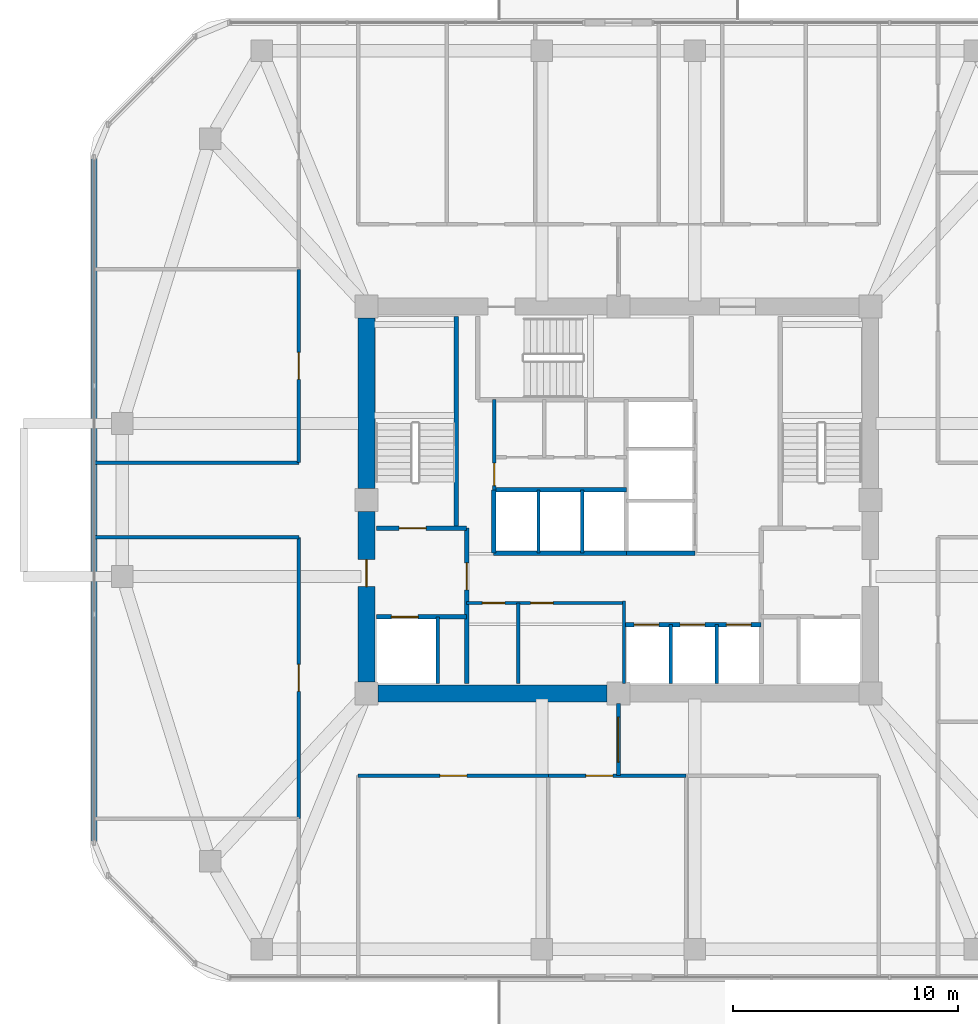
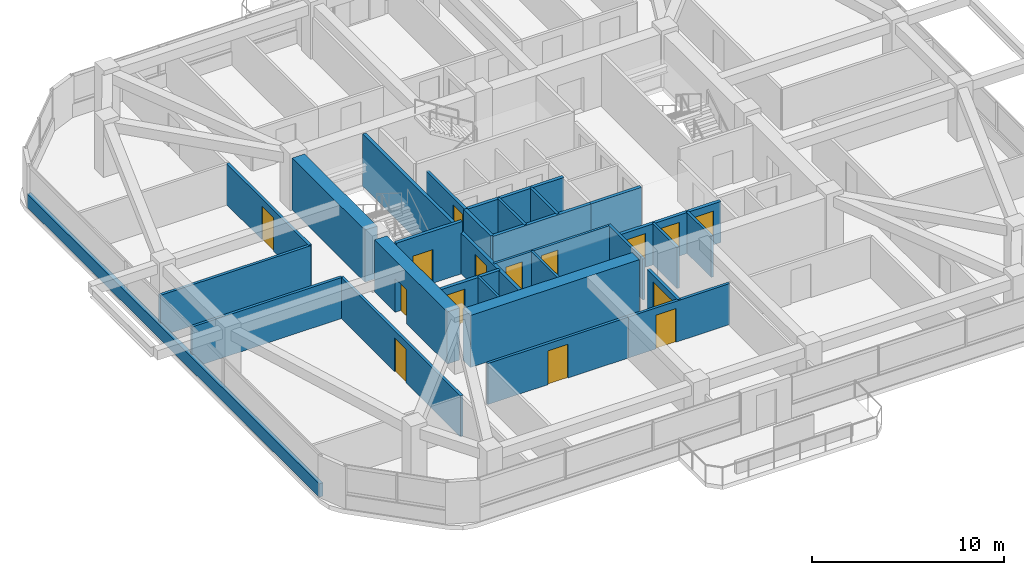
# One storey, part 7 of 12: 29 walls, 15 doors, 15 openings.
"""IFC4 building model written with IfcOpenShell, lengths in metres."""

from ifc_helpers import new_model, si_unit, derived_unit, direction, frame, frame_2d, origin, place, context, subcontext, project, spatial, rectangle, extrude, material, layer, layer_set, type_object, element, fill, save


model = new_model("IFC4")

# Units and contexts
model_context = context("Model", 3, precision=1e-05, world=origin(), true_north=direction((0.0, 1.0)))
body_context = subcontext(model_context, "Body", "Model", "MODEL_VIEW")
ifc_project = project(units=[si_unit("LENGTHUNIT", "METRE"), si_unit("AREAUNIT", "SQUARE_METRE"), si_unit("VOLUMEUNIT", "CUBIC_METRE"), si_unit("PLANEANGLEUNIT", "RADIAN"), si_unit("MASSUNIT", "GRAM", prefix="KILO"), derived_unit("THERMALTRANSMITTANCEUNIT", [(si_unit("POWERUNIT", "WATT"), 1), (si_unit("LENGTHUNIT", "METRE"), -2), (si_unit("THERMODYNAMICTEMPERATUREUNIT", "KELVIN"), -1)])], contexts=[model_context])

# Site, building, storey
site_placement = place(None, origin())
site = spatial("IfcSite", under=ifc_project, at=site_placement, CompositionType="ELEMENT")
building_placement = place(site_placement, origin())
building = spatial("IfcBuilding", under=site, at=building_placement, Name="Koralith Skygarden Medical Center", CompositionType="ELEMENT")
storey_placement = place(building_placement, frame((0.0, 0.0, 152.820068359375)))
storey = spatial("IfcBuildingStorey", under=building, at=storey_placement, Name="L39", CompositionType="ELEMENT", Elevation=152.820068359375)

# Wall, openings, doors
ifc_material_1 = material(Name="Gypsum Board Partition")
ifc_layer_1 = layer(ifc_material_1, 0.14990234375)
ifc_layer_set_1 = layer_set([ifc_layer_1], Name="Gypsum Board Partition")
wall_type_1 = type_object("IfcWallType", Name="Clinical Acoustic Partition 150", PredefinedType="PARTITIONING", material=ifc_layer_set_1)
wall_1_placement = place(storey_placement, frame((30.25, 21.320068359375, 0.0), z_axis=(0.0, 0.0, 1.0), x_axis=(1.0, 0.0, 0.0)))
wall_1 = element("IfcWall", 1, at=wall_1_placement, inside=storey, type_object=wall_type_1, Name="L39 Clinical Acoustic Partition 150 W-CORE-L39-FREED-LR-N", PredefinedType="PARTITIONING", context=body_context, shape_type="SweptSolid", body=[
    extrude(rectangle(XDim=7.0, YDim=0.14990234375, at=frame_2d((3.5, 0.0))), origin(), (0.0, 0.0, 1.0), 2.60986328125),
])
opening_1_placement = place(wall_1_placement, frame((0.699951171875, 0.0, 0.0)))
opening_1 = element("IfcOpeningElement", 2, at=opening_1_placement, cuts=wall_1, Name="Opening D-SUP", PredefinedType="OPENING", context=body_context, shape_type="SweptSolid", body=[
    extrude(rectangle(XDim=1.0, YDim=2.14990234375, at=frame_2d((0.5, 1.074951171875))), frame((0.0, 0.0849609375, 0.0), z_axis=(0.0, -1.0, 0.0), x_axis=(1.0, 0.0, 0.0)), (0.0, 0.0, 1.0), 0.169921875),
])
opening_2_placement = place(wall_1_placement, frame((2.85009765625, 0.0, 0.0)))
opening_2 = element("IfcOpeningElement", 3, at=opening_2_placement, cuts=wall_1, Name="Opening D-SUP", PredefinedType="OPENING", context=body_context, shape_type="SweptSolid", body=[
    extrude(rectangle(XDim=1.0, YDim=2.14990234375, at=frame_2d((0.5, 1.074951171875))), frame((0.0, 0.0849609375, 0.0), z_axis=(0.0, -1.0, 0.0), x_axis=(1.0, 0.0, 0.0)), (0.0, 0.0, 1.0), 0.169921875),
])
ifc_material_2 = material(Name="Aluminium 6063-T6", Category="aluminium")
door_type_1 = type_object("IfcDoorType", Name="Clinical Support Door D-SUP 1000", OperationType="NOTDEFINED", PredefinedType="DOOR", material=ifc_material_2)
door_1_placement = place(opening_1_placement, frame((1.0, 0.0, 0.0), z_axis=(0.0, 0.0, 1.0), x_axis=(-1.0, 0.0, 0.0)))
door_1 = element("IfcDoor", 4, at=door_1_placement, inside=storey, type_object=door_type_1, Name="L39 Medication Preparation Door", OperationType="SINGLE_SWING_LEFT", OverallHeight=2.14990234375, OverallWidth=1.0, PredefinedType="DOOR", context=body_context, shape_type="SweptSolid", body=[
    extrude(rectangle(XDim=1.0, YDim=2.14990234375, at=frame_2d((0.5, 1.074951171875))), frame((0.0, 0.02490234375, 0.0), z_axis=(0.0, -1.0, 0.0), x_axis=(1.0, 0.0, 0.0)), (0.0, 0.0, 1.0), 0.050048828125),
])
fill(opening_1, door_1)
door_2_placement = place(opening_2_placement, frame((1.0, 0.0, 0.0), z_axis=(0.0, 0.0, 1.0), x_axis=(-1.0, 0.0, 0.0)))
door_2 = element("IfcDoor", 5, at=door_2_placement, inside=storey, type_object=door_type_1, Name="L39 Telemetry Room Door", OperationType="SINGLE_SWING_RIGHT", OverallHeight=2.14990234375, OverallWidth=1.0, PredefinedType="DOOR", context=body_context, shape_type="SweptSolid", body=[
    extrude(rectangle(XDim=1.0, YDim=2.14990234375, at=frame_2d((0.5, 1.074951171875))), frame((0.0, 0.02490234375, 0.0), z_axis=(0.0, -1.0, 0.0), x_axis=(1.0, 0.0, 0.0)), (0.0, 0.0, 1.0), 0.050048828125),
])
fill(opening_2, door_2)

# Walls
wall_2_placement = place(storey_placement, frame((32.550048828125, 17.75, 0.0), z_axis=(0.0, 0.0, 1.0), x_axis=(0.0, 1.0, 0.0)))
element("IfcWall", 6, at=wall_2_placement, inside=storey, type_object=wall_type_1, Name="L39 Clinical Acoustic Partition 150 W-CORE-L39-FREED-LR-M", PredefinedType="PARTITIONING", context=body_context, shape_type="SweptSolid", body=[
    extrude(rectangle(XDim=3.570068359375, YDim=0.14990234375, at=frame_2d((1.78515625, 0.0))), origin(), (0.0, 0.0, 1.0), 2.60986328125),
])
ifc_layer_2 = layer(ifc_material_1, 0.1650390625)
ifc_layer_set_2 = layer_set([ifc_layer_2], Name="Gypsum Board Partition")
wall_type_2 = type_object("IfcWallType", Name="Clinical Corridor Partition 165", PredefinedType="PARTITIONING", material=ifc_layer_set_2)
for number, where, z_axis, x_axis, name in (
    (7, (13.716064453125, 24.239990234375, 0.0), (0.0, 0.0, 1.0), (1.0, 0.0, 0.0), "L39 Clinical Corridor Partition 165 W-HCOR-L39-EWS-W"),
    (8, (13.716064453125, 27.56005859375, 0.0), (0.0, 0.0, 1.0), (1.0, 0.0, 0.0), "L39 Clinical Corridor Partition 165 W-HCOR-L39-EWN-W"),
):
    element("IfcWall", number, at=place(storey_placement, frame(where, z_axis=z_axis, x_axis=x_axis)), inside=storey, type_object=wall_type_2, Name=name, PredefinedType="PARTITIONING", context=body_context, shape_type="SweptSolid", body=[
        extrude(rectangle(XDim=9.073974609375, YDim=0.1650390625, at=frame_2d((4.537109375, 0.0))), origin(), (0.0, 0.0, 1.0), 2.60986328125),
    ])

# Wall, opening, door
wall_3_placement = place(storey_placement, frame((25.429931640625, 13.639892578125, 0.0), z_axis=(0.0, 0.0, 1.0), x_axis=(1.0, 0.0, 0.0)))
wall_3 = element("IfcWall", 9, at=wall_3_placement, inside=storey, type_object=wall_type_2, Name="L39 Clinical Corridor Partition 165 W-CORR-L39-S-01", PredefinedType="PARTITIONING", context=body_context, shape_type="SweptSolid", body=[
    extrude(rectangle(XDim=8.4580078125, YDim=0.1650390625, at=frame_2d((4.22900390625, 0.0))), origin(), (0.0, 0.0, 1.0), 2.60986328125),
])
opening_3_placement = place(wall_3_placement, frame((3.62890625, 0.0, 0.0)))
opening_3 = element("IfcOpeningElement", 10, at=opening_3_placement, cuts=wall_3, Name="Opening D-CLN", PredefinedType="OPENING", context=body_context, shape_type="SweptSolid", body=[
    extrude(rectangle(XDim=1.199951171875, YDim=2.14990234375, at=frame_2d((0.60009765625, 1.074951171875))), frame((0.0, 0.092529296875, 0.0), z_axis=(0.0, -1.0, 0.0), x_axis=(1.0, 0.0, 0.0)), (0.0, 0.0, 1.0), 0.18505859375),
])
door_type_2 = type_object("IfcDoorType", Name="Clinical Corridor Door D-CLN 1200", OperationType="NOTDEFINED", PredefinedType="DOOR", material=ifc_material_2)
door_3_placement = place(opening_3_placement, frame((1.199951171875, 0.0, 0.0), z_axis=(0.0, 0.0, 1.0), x_axis=(-1.0, 0.0, 0.0)))
door_3 = element("IfcDoor", 11, at=door_3_placement, inside=storey, type_object=door_type_2, Name="L39 Dialysis Recovery Sitting Lounge 07 Door", OperationType="SINGLE_SWING_RIGHT", OverallHeight=2.14990234375, OverallWidth=1.199951171875, PredefinedType="DOOR", context=body_context, shape_type="SweptSolid", body=[
    extrude(rectangle(XDim=1.199951171875, YDim=2.14990234375, at=frame_2d((0.60009765625, 1.074951171875))), frame((0.0, 0.02490234375, 0.0), z_axis=(0.0, -1.0, 0.0), x_axis=(1.0, 0.0, 0.0)), (0.0, 0.0, 1.0), 0.050048828125),
])
fill(opening_3, door_3)

wall_4_placement = place(storey_placement, frame((33.887939453125, 13.639892578125, 0.0), z_axis=(0.0, 0.0, 1.0), x_axis=(1.0, 0.0, 0.0)))
wall_4 = element("IfcWall", 12, at=wall_4_placement, inside=storey, type_object=wall_type_2, Name="L39 Clinical Corridor Partition 165 W-CORR-L39-S-02", PredefinedType="PARTITIONING", context=body_context, shape_type="SweptSolid", body=[
    extrude(rectangle(XDim=6.1181640625, YDim=0.1650390625, at=frame_2d((3.05908203125, 0.0))), origin(), (0.0, 0.0, 1.0), 2.60986328125),
])
opening_4_placement = place(wall_4_placement, frame((1.6640625, 0.0, 0.0)))
opening_4 = element("IfcOpeningElement", 13, at=opening_4_placement, cuts=wall_4, Name="Opening D-CLN", PredefinedType="OPENING", context=body_context, shape_type="SweptSolid", body=[
    extrude(rectangle(XDim=1.199951171875, YDim=2.14990234375, at=frame_2d((0.60009765625, 1.074951171875))), frame((0.0, 0.092529296875, 0.0), z_axis=(0.0, -1.0, 0.0), x_axis=(1.0, 0.0, 0.0)), (0.0, 0.0, 1.0), 0.18505859375),
])
door_4_placement = place(opening_4_placement, frame((1.199951171875, 0.0, 0.0), z_axis=(0.0, 0.0, 1.0), x_axis=(-1.0, 0.0, 0.0)))
door_4 = element("IfcDoor", 14, at=door_4_placement, inside=storey, type_object=door_type_2, Name="L39 Patient and Family Sky-Garden Day Lounge 08 Door", OperationType="SINGLE_SWING_LEFT", OverallHeight=2.14990234375, OverallWidth=1.199951171875, PredefinedType="DOOR", context=body_context, shape_type="SweptSolid", body=[
    extrude(rectangle(XDim=1.199951171875, YDim=2.14990234375, at=frame_2d((0.60009765625, 1.074951171875))), frame((0.0, 0.02490234375, 0.0), z_axis=(0.0, -1.0, 0.0), x_axis=(1.0, 0.0, 0.0)), (0.0, 0.0, 1.0), 0.050048828125),
])
fill(opening_4, door_4)

wall_5_placement = place(storey_placement, frame((22.7900390625, 11.73388671875, 0.0), z_axis=(0.0, 0.0, 1.0), x_axis=(0.0, 1.0, 0.0)))
wall_5 = element("IfcWall", 15, at=wall_5_placement, inside=storey, type_object=wall_type_2, Name="L39 Clinical Corridor Partition 165 W-CORR-L39-WS-02", PredefinedType="PARTITIONING", context=body_context, shape_type="SweptSolid", body=[
    extrude(rectangle(XDim=12.506103515625, YDim=0.1650390625, at=frame_2d((6.2529296875, 0.0))), origin(), (0.0, 0.0, 1.0), 2.60986328125),
])
opening_5_placement = place(wall_5_placement, frame((5.653076171875, 0.0, 0.0)))
opening_5 = element("IfcOpeningElement", 16, at=opening_5_placement, cuts=wall_5, Name="Opening D-CLN", PredefinedType="OPENING", context=body_context, shape_type="SweptSolid", body=[
    extrude(rectangle(XDim=1.199951171875, YDim=2.14990234375, at=frame_2d((0.60009765625, 1.074951171875))), frame((0.0, 0.092529296875, 0.0), z_axis=(0.0, -1.0, 0.0), x_axis=(1.0, 0.0, 0.0)), (0.0, 0.0, 1.0), 0.18505859375),
])
door_5_placement = place(opening_5_placement, frame((1.199951171875, 0.0, 0.0), z_axis=(0.0, 0.0, 1.0), x_axis=(-1.0, 0.0, 0.0)))
door_5 = element("IfcDoor", 17, at=door_5_placement, inside=storey, type_object=door_type_2, Name="L39 Renal Mobility Exercise Hall 11 Door", OperationType="SINGLE_SWING_RIGHT", OverallHeight=2.14990234375, OverallWidth=1.199951171875, PredefinedType="DOOR", context=body_context, shape_type="SweptSolid", body=[
    extrude(rectangle(XDim=1.199951171875, YDim=2.14990234375, at=frame_2d((0.60009765625, 1.074951171875))), frame((0.0, 0.02490234375, 0.0), z_axis=(0.0, -1.0, 0.0), x_axis=(1.0, 0.0, 0.0)), (0.0, 0.0, 1.0), 0.050048828125),
])
fill(opening_5, door_5)

wall_6_placement = place(storey_placement, frame((22.7900390625, 27.56005859375, 0.0), z_axis=(0.0, 0.0, 1.0), x_axis=(0.0, 1.0, 0.0)))
wall_6 = element("IfcWall", 18, at=wall_6_placement, inside=storey, type_object=wall_type_2, Name="L39 Clinical Corridor Partition 165 W-CORR-L39-WN-01", PredefinedType="PARTITIONING", context=body_context, shape_type="SweptSolid", body=[
    extrude(rectangle(XDim=8.597900390625, YDim=0.1650390625, at=frame_2d((4.298828125, 0.0))), origin(), (0.0, 0.0, 1.0), 2.60986328125),
])
opening_6_placement = place(wall_6_placement, frame((3.698974609375, 0.0, 0.0)))
opening_6 = element("IfcOpeningElement", 19, at=opening_6_placement, cuts=wall_6, Name="Opening D-CLN", PredefinedType="OPENING", context=body_context, shape_type="SweptSolid", body=[
    extrude(rectangle(XDim=1.199951171875, YDim=2.14990234375, at=frame_2d((0.60009765625, 1.074951171875))), frame((0.0, 0.092529296875, 0.0), z_axis=(0.0, -1.0, 0.0), x_axis=(1.0, 0.0, 0.0)), (0.0, 0.0, 1.0), 0.18505859375),
])
door_6_placement = place(opening_6_placement, frame((1.199951171875, 0.0, 0.0), z_axis=(0.0, 0.0, 1.0), x_axis=(-1.0, 0.0, 0.0)))
door_6 = element("IfcDoor", 20, at=door_6_placement, inside=storey, type_object=door_type_2, Name="L39 Dialysis Recovery Sitting Lounge 12 Door", OperationType="SINGLE_SWING_LEFT", OverallHeight=2.14990234375, OverallWidth=1.199951171875, PredefinedType="DOOR", context=body_context, shape_type="SweptSolid", body=[
    extrude(rectangle(XDim=1.199951171875, YDim=2.14990234375, at=frame_2d((0.60009765625, 1.074951171875))), frame((0.0, 0.02490234375, 0.0), z_axis=(0.0, -1.0, 0.0), x_axis=(1.0, 0.0, 0.0)), (0.0, 0.0, 1.0), 0.050048828125),
])
fill(opening_6, door_6)

ifc_layer_3 = layer(ifc_material_1, 0.199951171875)
ifc_layer_set_3 = layer_set([ifc_layer_3], Name="Gypsum Board Partition")
wall_type_3 = type_object("IfcWallType", Name="Fire Shaft Wall 200", PredefinedType="SOLIDWALL", material=ifc_layer_set_3)
wall_7_placement = place(storey_placement, frame((26.25, 20.699951171875, 0.0), z_axis=(0.0, 0.0, 1.0), x_axis=(1.0, 0.0, 0.0)))
wall_7 = element("IfcWall", 21, at=wall_7_placement, inside=storey, type_object=wall_type_3, Name="L39 Fire Shaft Wall 200 W-CORE-L39-FF1-N", PredefinedType="SOLIDWALL", context=body_context, shape_type="SweptSolid", body=[
    extrude(rectangle(XDim=4.0, YDim=0.199951171875, at=frame_2d((2.0, 0.0))), origin(), (0.0, 0.0, 1.0), 2.60986328125),
])
opening_7_placement = place(wall_7_placement, frame((0.64990234375, 0.0, 0.0)))
opening_7 = element("IfcOpeningElement", 22, at=opening_7_placement, cuts=wall_7, Name="Opening LD-FF", PredefinedType="OPENING", context=body_context, shape_type="SweptSolid", body=[
    extrude(rectangle(XDim=1.199951171875, YDim=2.14990234375, at=frame_2d((0.60009765625, 1.074951171875))), frame((0.0, 0.10986328125, 0.0), z_axis=(0.0, -1.0, 0.0), x_axis=(1.0, 0.0, 0.0)), (0.0, 0.0, 1.0), 0.219970703125),
])
ifc_material_3 = material(Name="Steel ASTM A500 Grade C", Category="steel")
door_type_3 = type_object("IfcDoorType", Name="Fire Lift Sliding Landing Door LD-FF 1200", OperationType="NOTDEFINED", PredefinedType="DOOR", material=ifc_material_3)
door_7_placement = place(opening_7_placement, origin())
door_7 = element("IfcDoor", 23, at=door_7_placement, inside=storey, type_object=door_type_3, Name="L39 Fire Service Elevator FF1 Landing Door", OperationType="SLIDING_TO_LEFT", OverallHeight=2.14990234375, OverallWidth=1.199951171875, PredefinedType="DOOR", context=body_context, shape_type="SweptSolid", body=[
    extrude(rectangle(XDim=1.199951171875, YDim=2.14990234375, at=frame_2d((0.60009765625, 1.074951171875))), frame((0.0, 0.02490234375, 0.0), z_axis=(0.0, -1.0, 0.0), x_axis=(1.0, 0.0, 0.0)), (0.0, 0.0, 1.0), 0.050048828125),
])
fill(opening_7, door_7)

wall_8_placement = place(storey_placement, frame((30.25, 17.75, 0.0), z_axis=(0.0, 0.0, 1.0), x_axis=(0.0, 1.0, 0.0)))
wall_8 = element("IfcWall", 24, at=wall_8_placement, inside=storey, type_object=wall_type_3, Name="L39 Fire Shaft Wall 200 W-CORE-L39-FSAEW-E", PredefinedType="SOLIDWALL", context=body_context, shape_type="SweptSolid", body=[
    extrude(rectangle(XDim=6.89990234375, YDim=0.199951171875, at=frame_2d((3.449951171875, 0.0))), origin(), (0.0, 0.0, 1.0), 2.60986328125),
])
opening_8_placement = place(wall_8_placement, frame((4.14990234375, 0.0, 0.0)))
opening_8 = element("IfcOpeningElement", 25, at=opening_8_placement, cuts=wall_8, Name="Opening D-ST60", PredefinedType="OPENING", context=body_context, shape_type="SweptSolid", body=[
    extrude(rectangle(XDim=1.199951171875, YDim=2.14990234375, at=frame_2d((0.60009765625, 1.074951171875))), frame((0.0, 0.10986328125, 0.0), z_axis=(0.0, -1.0, 0.0), x_axis=(1.0, 0.0, 0.0)), (0.0, 0.0, 1.0), 0.219970703125),
])
door_type_4 = type_object("IfcDoorType", Name="Smokeproof Stair Fire Door FD60S 1200", OperationType="NOTDEFINED", PredefinedType="DOOR", material=ifc_material_3)
door_8_placement = place(opening_8_placement, origin())
door_8 = element("IfcDoor", 26, at=door_8_placement, inside=storey, type_object=door_type_4, Name="L39 West Firefighting Lobby Inner Fire Door", OperationType="SINGLE_SWING_LEFT", OverallHeight=2.14990234375, OverallWidth=1.199951171875, PredefinedType="DOOR", context=body_context, shape_type="SweptSolid", body=[
    extrude(rectangle(XDim=1.199951171875, YDim=2.14990234375, at=frame_2d((0.60009765625, 1.074951171875))), frame((0.0, 0.02490234375, 0.0), z_axis=(0.0, -1.0, 0.0), x_axis=(1.0, 0.0, 0.0)), (0.0, 0.0, 1.0), 0.050048828125),
])
fill(opening_8, door_8)

# Wall, openings, doors
wall_9_placement = place(storey_placement, frame((37.25, 20.360107421875, 0.0), z_axis=(0.0, 0.0, 1.0), x_axis=(1.0, 0.0, 0.0)))
wall_9 = element("IfcWall", 27, at=wall_9_placement, inside=storey, type_object=wall_type_3, Name="L39 Fire Shaft Wall 200 W-CORE-L39-PM-N", PredefinedType="SOLIDWALL", context=body_context, shape_type="SweptSolid", body=[
    extrude(rectangle(XDim=6.10009765625, YDim=0.199951171875, at=frame_2d((3.050048828125, 0.0))), origin(), (0.0, 0.0, 1.0), 2.60986328125),
])
opening_9_placement = place(wall_9_placement, frame((0.449951171875, 0.0, 0.0)))
opening_9 = element("IfcOpeningElement", 28, at=opening_9_placement, cuts=wall_9, Name="Opening LD-P", PredefinedType="OPENING", context=body_context, shape_type="SweptSolid", body=[
    extrude(rectangle(XDim=1.10009765625, YDim=2.14990234375, at=frame_2d((0.550048828125, 1.074951171875))), frame((0.0, 0.10986328125, 0.0), z_axis=(0.0, -1.0, 0.0), x_axis=(1.0, 0.0, 0.0)), (0.0, 0.0, 1.0), 0.219970703125),
])
opening_10_placement = place(wall_9_placement, frame((2.5, 0.0, 0.0)))
opening_10 = element("IfcOpeningElement", 29, at=opening_10_placement, cuts=wall_9, Name="Opening LD-P", PredefinedType="OPENING", context=body_context, shape_type="SweptSolid", body=[
    extrude(rectangle(XDim=1.10009765625, YDim=2.14990234375, at=frame_2d((0.550048828125, 1.074951171875))), frame((0.0, 0.10986328125, 0.0), z_axis=(0.0, -1.0, 0.0), x_axis=(1.0, 0.0, 0.0)), (0.0, 0.0, 1.0), 0.219970703125),
])
opening_11_placement = place(wall_9_placement, frame((4.550048828125, 0.0, 0.0)))
opening_11 = element("IfcOpeningElement", 30, at=opening_11_placement, cuts=wall_9, Name="Opening LD-P", PredefinedType="OPENING", context=body_context, shape_type="SweptSolid", body=[
    extrude(rectangle(XDim=1.10009765625, YDim=2.14990234375, at=frame_2d((0.550048828125, 1.074951171875))), frame((0.0, 0.10986328125, 0.0), z_axis=(0.0, -1.0, 0.0), x_axis=(1.0, 0.0, 0.0)), (0.0, 0.0, 1.0), 0.219970703125),
])
door_type_5 = type_object("IfcDoorType", Name="Passenger Lift Sliding Landing Door LD-P 1100", OperationType="NOTDEFINED", PredefinedType="DOOR", material=ifc_material_3)
door_9_placement = place(opening_9_placement, origin())
door_9 = element("IfcDoor", 31, at=door_9_placement, inside=storey, type_object=door_type_5, Name="L39 Passenger Elevator PM1 Landing Door", OperationType="SLIDING_TO_LEFT", OverallHeight=2.14990234375, OverallWidth=1.10009765625, PredefinedType="DOOR", context=body_context, shape_type="SweptSolid", body=[
    extrude(rectangle(XDim=1.10009765625, YDim=2.14990234375, at=frame_2d((0.550048828125, 1.074951171875))), frame((0.0, 0.02490234375, 0.0), z_axis=(0.0, -1.0, 0.0), x_axis=(1.0, 0.0, 0.0)), (0.0, 0.0, 1.0), 0.050048828125),
])
fill(opening_9, door_9)
door_10_placement = place(opening_10_placement, origin())
door_10 = element("IfcDoor", 32, at=door_10_placement, inside=storey, type_object=door_type_5, Name="L39 Passenger Elevator PM2 Landing Door", OperationType="SLIDING_TO_LEFT", OverallHeight=2.14990234375, OverallWidth=1.10009765625, PredefinedType="DOOR", context=body_context, shape_type="SweptSolid", body=[
    extrude(rectangle(XDim=1.10009765625, YDim=2.14990234375, at=frame_2d((0.550048828125, 1.074951171875))), frame((0.0, 0.02490234375, 0.0), z_axis=(0.0, -1.0, 0.0), x_axis=(1.0, 0.0, 0.0)), (0.0, 0.0, 1.0), 0.050048828125),
])
fill(opening_10, door_10)
door_11_placement = place(opening_11_placement, origin())
door_11 = element("IfcDoor", 33, at=door_11_placement, inside=storey, type_object=door_type_5, Name="L39 Passenger Elevator PM3 Landing Door", OperationType="SLIDING_TO_LEFT", OverallHeight=2.14990234375, OverallWidth=1.10009765625, PredefinedType="DOOR", context=body_context, shape_type="SweptSolid", body=[
    extrude(rectangle(XDim=1.10009765625, YDim=2.14990234375, at=frame_2d((0.550048828125, 1.074951171875))), frame((0.0, 0.02490234375, 0.0), z_axis=(0.0, -1.0, 0.0), x_axis=(1.0, 0.0, 0.0)), (0.0, 0.0, 1.0), 0.050048828125),
])
fill(opening_11, door_11)

# Walls
for number, where, z_axis, x_axis, name in (
    (34, (31.449951171875, 23.5400390625, 0.0), (0.0, 0.0, 1.0), (1.0, 0.0, 0.0), "L39 Fire Shaft Wall 200 W-CORE-L39-PH-S"),
    (35, (31.449951171875, 26.35009765625, 0.0), (0.0, 0.0, 1.0), (1.0, 0.0, 0.0), "L39 Fire Shaft Wall 200 W-CORE-L39-PH-N"),
):
    element("IfcWall", number, at=place(storey_placement, frame(where, z_axis=z_axis, x_axis=x_axis)), inside=storey, type_object=wall_type_3, Name=name, PredefinedType="SOLIDWALL", context=body_context, shape_type="SweptSolid", body=[
        extrude(rectangle(XDim=5.900146484375, YDim=0.199951171875, at=frame_2d((2.9501953125, 0.0))), origin(), (0.0, 0.0, 1.0), 2.60986328125),
    ])
wall_10_placement = place(storey_placement, frame((31.449951171875, 23.5400390625, 0.0), z_axis=(0.0, 0.0, 1.0), x_axis=(0.0, 1.0, 0.0)))
element("IfcWall", 36, at=wall_10_placement, inside=storey, type_object=wall_type_3, Name="L39 Fire Shaft Wall 200 W-CORE-L39-PH-W", PredefinedType="SOLIDWALL", context=body_context, shape_type="SweptSolid", body=[
    extrude(rectangle(XDim=2.81005859375, YDim=0.199951171875, at=frame_2d((1.405029296875, 0.0))), origin(), (0.0, 0.0, 1.0), 2.60986328125),
])
wall_11_placement = place(storey_placement, frame((37.35009765625, 23.5400390625, 0.0), z_axis=(0.0, 0.0, 1.0), x_axis=(1.0, 0.0, 0.0)))
element("IfcWall", 37, at=wall_11_placement, inside=storey, type_object=wall_type_3, Name="L39 Fire Shaft Wall 200 W-CORE-L39-SV-S", PredefinedType="SOLIDWALL", context=body_context, shape_type="SweptSolid", body=[
    extrude(rectangle(XDim=3.0498046875, YDim=0.199951171875, at=frame_2d((1.52490234375, 0.0))), origin(), (0.0, 0.0, 1.0), 2.60986328125),
])

# Wall, opening, door
ifc_layer_4 = layer(ifc_material_1, 0.179931640625)
ifc_layer_set_4 = layer_set([ifc_layer_4], Name="Gypsum Board Partition")
wall_type_4 = type_object("IfcWallType", Name="Group I-2 Smoke Barrier Wall 180", PredefinedType="PARTITIONING", material=ifc_layer_set_4)
wall_12_placement = place(storey_placement, frame((37.0, 13.639892578125, 0.0), z_axis=(0.0, 0.0, 1.0), x_axis=(0.0, 1.0, 0.0)))
wall_12 = element("IfcWall", 38, at=wall_12_placement, inside=storey, type_object=wall_type_4, Name="L39 Group I-2 Smoke Barrier Wall 180 W-SMK-L39-S", PredefinedType="PARTITIONING", context=body_context, shape_type="SweptSolid", body=[
    extrude(rectangle(XDim=3.210205078125, YDim=0.179931640625, at=frame_2d((1.60498046875, 0.0))), origin(), (0.0, 0.0, 1.0), 2.60986328125),
])
opening_12_placement = place(wall_12_placement, frame((0.60498046875, 0.0, 0.0)))
opening_12 = element("IfcOpeningElement", 39, at=opening_12_placement, cuts=wall_12, Name="Opening D-SMK", PredefinedType="OPENING", context=body_context, shape_type="SweptSolid", body=[
    extrude(rectangle(XDim=2.0, YDim=2.199951171875, at=frame_2d((1.0, 1.10009765625))), frame((0.0, 0.099853515625, 0.0), z_axis=(0.0, -1.0, 0.0), x_axis=(1.0, 0.0, 0.0)), (0.0, 0.0, 1.0), 0.199951171875),
])
door_type_6 = type_object("IfcDoorType", Name="Cross-Corridor Double Smoke Door FD60S 2000", OperationType="NOTDEFINED", PredefinedType="DOOR", material=ifc_material_3)
door_12_placement = place(opening_12_placement, frame((2.0, 0.0, 0.0), z_axis=(0.0, 0.0, 1.0), x_axis=(-1.0, 0.0, 0.0)))
door_12 = element("IfcDoor", 40, at=door_12_placement, inside=storey, type_object=door_type_6, Name="L39 S Smoke Compartment Cross-Corridor Door", OperationType="DOUBLE_DOOR_SINGLE_SWING", OverallHeight=2.199951171875, OverallWidth=2.0, PredefinedType="DOOR", context=body_context, shape_type="SweptSolid", body=[
    extrude(rectangle(XDim=2.0, YDim=2.199951171875, at=frame_2d((1.0, 1.10009765625))), frame((0.0, 0.02490234375, 0.0), z_axis=(0.0, -1.0, 0.0), x_axis=(1.0, 0.0, 0.0)), (0.0, 0.0, 1.0), 0.050048828125),
])
fill(opening_12, door_12)

# Walls
ifc_material_4 = material(Name="Warm Oolitic Limestone Cladding", Category="masonry")
ifc_layer_5 = layer(ifc_material_4, 0.239990234375)
ifc_layer_set_5 = layer_set([ifc_layer_5], Name="Warm Oolitic Limestone Cladding")
wall_type_5 = type_object("IfcWallType", Name="Limestone Spandrel Sill Backup Wall 240", PredefinedType="SOLIDWALL", material=ifc_layer_set_5)
wall_13_placement = place(storey_placement, frame((13.696044921875, 41.14501953125, 0.0), z_axis=(0.0, 0.0, 1.0), x_axis=(0.0, -1.0, 0.0)))
element("IfcWall", 41, at=wall_13_placement, inside=storey, type_object=wall_type_5, Name="L39 Sill Spandrel W", PredefinedType="SOLIDWALL", context=body_context, shape_type="SweptSolid", body=[
    extrude(rectangle(XDim=30.489990234375, YDim=0.239990234375, at=frame_2d((15.2451171875, 0.0))), origin(), (0.0, 0.0, 1.0), 0.849853515625),
])
ifc_material_5 = material(Name="Concrete C70/85", Category="concrete")
ifc_layer_6 = layer(ifc_material_5, 0.75)
ifc_layer_set_6 = layer_set([ifc_layer_6], Name="Concrete C70/85")
wall_type_6 = type_object("IfcWallType", Name="Mid Core Shear Wall 750", PredefinedType="SHEAR", material=ifc_layer_set_6)
wall_14_placement = place(storey_placement, frame((26.304931640625, 17.300048828125, 0.0), z_axis=(0.0, 0.0, 1.0), x_axis=(1.0, 0.0, 0.0)))
element("IfcWall", 42, at=wall_14_placement, inside=storey, type_object=wall_type_6, Name="L39 Core Shear Wall Segment 1", PredefinedType="SHEAR", context=body_context, shape_type="SweptSolid", body=[
    extrude(rectangle(XDim=10.190185546875, YDim=0.75, at=frame_2d((5.09521484375, 0.0))), origin(), (0.0, 0.0, 1.0), 3.31982421875),
])
wall_15_placement = place(storey_placement, frame((25.800048828125, 33.9951171875, 0.0), z_axis=(0.0, 0.0, 1.0), x_axis=(0.0, -1.0, 0.0)))
element("IfcWall", 43, at=wall_15_placement, inside=storey, type_object=wall_type_6, Name="L39 Core Shear Wall Segment 7", PredefinedType="SHEAR", context=body_context, shape_type="SweptSolid", body=[
    extrude(rectangle(XDim=7.590087890625, YDim=0.75, at=frame_2d((3.794921875, 0.0))), origin(), (0.0, 0.0, 1.0), 3.31982421875),
])

# Wall, opening, door
wall_16_placement = place(storey_placement, frame((25.800048828125, 25.39501953125, 0.0), z_axis=(0.0, 0.0, 1.0), x_axis=(0.0, -1.0, 0.0)))
wall_16 = element("IfcWall", 44, at=wall_16_placement, inside=storey, type_object=wall_type_6, Name="L39 Core Shear Wall Segment 8", PredefinedType="SHEAR", context=body_context, shape_type="SweptSolid", body=[
    extrude(rectangle(XDim=7.590087890625, YDim=0.75, at=frame_2d((3.794921875, 0.0))), origin(), (0.0, 0.0, 1.0), 3.31982421875),
])
opening_13_placement = place(wall_16_placement, frame((2.14501953125, 0.0, 0.0)))
opening_13 = element("IfcOpeningElement", 45, at=opening_13_placement, cuts=wall_16, Name="Opening D-ST60", PredefinedType="OPENING", context=body_context, shape_type="SweptSolid", body=[
    extrude(rectangle(XDim=1.199951171875, YDim=2.14990234375, at=frame_2d((0.60009765625, 1.074951171875))), frame((0.0, 0.385009765625, 0.0), z_axis=(0.0, -1.0, 0.0), x_axis=(1.0, 0.0, 0.0)), (0.0, 0.0, 1.0), 0.77001953125),
])
door_13_placement = place(opening_13_placement, frame((1.199951171875, 0.0, 0.0), z_axis=(0.0, 0.0, 1.0), x_axis=(-1.0, 0.0, 0.0)))
door_13 = element("IfcDoor", 46, at=door_13_placement, inside=storey, type_object=door_type_4, Name="L39 West Corridor to Firefighting Lobby Door", OperationType="SINGLE_SWING_LEFT", OverallHeight=2.14990234375, OverallWidth=1.199951171875, PredefinedType="DOOR", context=body_context, shape_type="SweptSolid", body=[
    extrude(rectangle(XDim=1.199951171875, YDim=2.14990234375, at=frame_2d((0.60009765625, 1.074951171875))), frame((0.0, 0.02490234375, 0.0), z_axis=(0.0, -1.0, 0.0), x_axis=(1.0, 0.0, 0.0)), (0.0, 0.0, 1.0), 0.050048828125),
])
fill(opening_13, door_13)

ifc_layer_7 = layer(ifc_material_1, 0.1650390625)
ifc_layer_set_7 = layer_set([ifc_layer_7], Name="Gypsum Board Partition")
wall_type_7 = type_object("IfcWallType", Name="Plumbing Wet Wall 165", PredefinedType="PLUMBINGWALL", material=ifc_layer_set_7)
wall_17_placement = place(storey_placement, frame((31.47998046875, 26.320068359375, 0.0), z_axis=(0.0, 0.0, 1.0), x_axis=(0.0, 1.0, 0.0)))
wall_17 = element("IfcWall", 47, at=wall_17_placement, inside=storey, type_object=wall_type_7, Name="L39 Plumbing Wet Wall 165 W-CORE-L39-FLEX-W", PredefinedType="PLUMBINGWALL", context=body_context, shape_type="SweptSolid", body=[
    extrude(rectangle(XDim=4.0400390625, YDim=0.1650390625, at=frame_2d((2.02001953125, 0.0))), origin(), (0.0, 0.0, 1.0), 2.60986328125),
])
opening_14_placement = place(wall_17_placement, frame((0.219970703125, 0.0, 0.0)))
opening_14 = element("IfcOpeningElement", 48, at=opening_14_placement, cuts=wall_17, Name="Opening D-SUP", PredefinedType="OPENING", context=body_context, shape_type="SweptSolid", body=[
    extrude(rectangle(XDim=1.0, YDim=2.14990234375, at=frame_2d((0.5, 1.074951171875))), frame((0.0, 0.092529296875, 0.0), z_axis=(0.0, -1.0, 0.0), x_axis=(1.0, 0.0, 0.0)), (0.0, 0.0, 1.0), 0.18505859375),
])
door_14_placement = place(opening_14_placement, frame((1.0, 0.0, 0.0), z_axis=(0.0, 0.0, 1.0), x_axis=(-1.0, 0.0, 0.0)))
door_14 = element("IfcDoor", 49, at=door_14_placement, inside=storey, type_object=door_type_1, Name="L39 Core Service Alcove Door", OperationType="SINGLE_SWING_LEFT", OverallHeight=2.14990234375, OverallWidth=1.0, PredefinedType="DOOR", context=body_context, shape_type="SweptSolid", body=[
    extrude(rectangle(XDim=1.0, YDim=2.14990234375, at=frame_2d((0.5, 1.074951171875))), frame((0.0, 0.02490234375, 0.0), z_axis=(0.0, -1.0, 0.0), x_axis=(1.0, 0.0, 0.0)), (0.0, 0.0, 1.0), 0.050048828125),
])
fill(opening_14, door_14)

# Walls
ifc_layer_8 = layer(ifc_material_1, 0.14990234375)
ifc_layer_set_8 = layer_set([ifc_layer_8], Name="Gypsum Board Partition")
wall_type_8 = type_object("IfcWallType", Name="Shaft Partition Wall 150", PredefinedType="PARTITIONING", material=ifc_layer_set_8)
wall_18_placement = place(storey_placement, frame((28.969970703125, 17.75, 0.0), z_axis=(0.0, 0.0, 1.0), x_axis=(0.0, 1.0, 0.0)))
element("IfcWall", 50, at=wall_18_placement, inside=storey, type_object=wall_type_8, Name="L39 Shaft Partition Wall 150 W-CORE-L39-RSRW-DIV", PredefinedType="PARTITIONING", context=body_context, shape_type="SweptSolid", body=[
    extrude(rectangle(XDim=2.949951171875, YDim=0.14990234375, at=frame_2d((1.47509765625, 0.0))), origin(), (0.0, 0.0, 1.0), 2.60986328125),
])
for number, where, z_axis, x_axis, name in (
    (51, (39.320068359375, 17.75, 0.0), (0.0, 0.0, 1.0), (0.0, 1.0, 0.0), "L39 Shaft Partition Wall 150 W-CORE-L39-PM-D1"),
    (52, (41.3701171875, 17.75, 0.0), (0.0, 0.0, 1.0), (0.0, 1.0, 0.0), "L39 Shaft Partition Wall 150 W-CORE-L39-PM-D2"),
):
    element("IfcWall", number, at=place(storey_placement, frame(where, z_axis=z_axis, x_axis=x_axis)), inside=storey, type_object=wall_type_8, Name=name, PredefinedType="PARTITIONING", context=body_context, shape_type="SweptSolid", body=[
        extrude(rectangle(XDim=2.610107421875, YDim=0.14990234375, at=frame_2d((1.30517578125, 0.0))), origin(), (0.0, 0.0, 1.0), 2.60986328125),
    ])
wall_19_placement = place(storey_placement, frame((37.25, 17.75, 0.0), z_axis=(0.0, 0.0, 1.0), x_axis=(0.0, 1.0, 0.0)))
element("IfcWall", 53, at=wall_19_placement, inside=storey, type_object=wall_type_8, Name="L39 Shaft Partition Wall 150 W-CORE-L39-PL-PM-SEP", PredefinedType="PARTITIONING", context=body_context, shape_type="SweptSolid", body=[
    extrude(rectangle(XDim=3.64990234375, YDim=0.14990234375, at=frame_2d((1.824951171875, 0.0))), origin(), (0.0, 0.0, 1.0), 2.60986328125),
])
for number, where, z_axis, x_axis, name in (
    (54, (33.449951171875, 23.5400390625, 0.0), (0.0, 0.0, 1.0), (0.0, 1.0, 0.0), "L39 Shaft Partition Wall 150 W-CORE-L39-PH-D1"),
    (55, (35.39990234375, 23.5400390625, 0.0), (0.0, 0.0, 1.0), (0.0, 1.0, 0.0), "L39 Shaft Partition Wall 150 W-CORE-L39-PH-D2"),
):
    element("IfcWall", number, at=place(storey_placement, frame(where, z_axis=z_axis, x_axis=x_axis)), inside=storey, type_object=wall_type_8, Name=name, PredefinedType="PARTITIONING", context=body_context, shape_type="SweptSolid", body=[
        extrude(rectangle(XDim=2.81005859375, YDim=0.14990234375, at=frame_2d((1.405029296875, 0.0))), origin(), (0.0, 0.0, 1.0), 2.60986328125),
    ])
ifc_material_6 = material(Name="Concrete C45/55", Category="concrete")
ifc_layer_9 = layer(ifc_material_6, 0.199951171875)
ifc_layer_set_9 = layer_set([ifc_layer_9], Name="Concrete C45/55")
wall_type_9 = type_object("IfcWallType", Name="Structural Stair Shaft Wall 200", PredefinedType="SHEAR", material=ifc_layer_set_9)
wall_20_placement = place(storey_placement, frame((29.800048828125, 24.64990234375, 0.0), z_axis=(0.0, 0.0, 1.0), x_axis=(0.0, 1.0, 0.0)))
element("IfcWall", 56, at=wall_20_placement, inside=storey, type_object=wall_type_9, Name="L39 Structural Stair Shaft Wall 200 W-CORE-L39-ST1-E", PredefinedType="SHEAR", context=body_context, shape_type="SweptSolid", body=[
    extrude(rectangle(XDim=9.400146484375, YDim=0.199951171875, at=frame_2d((4.7001953125, 0.0))), origin(), (0.0, 0.0, 1.0), 3.31982421875),
])

# Wall, opening, door
wall_21_placement = place(storey_placement, frame((26.25, 24.64990234375, 0.0), z_axis=(0.0, 0.0, 1.0), x_axis=(1.0, 0.0, 0.0)))
wall_21 = element("IfcWall", 57, at=wall_21_placement, inside=storey, type_object=wall_type_9, Name="L39 Structural Stair Shaft Wall 200 W-CORE-L39-ST1-S", PredefinedType="SHEAR", context=body_context, shape_type="SweptSolid", body=[
    extrude(rectangle(XDim=4.0, YDim=0.199951171875, at=frame_2d((2.0, 0.0))), origin(), (0.0, 0.0, 1.0), 3.31982421875),
])
opening_15_placement = place(wall_21_placement, frame((1.0, 0.0, 0.0)))
opening_15 = element("IfcOpeningElement", 58, at=opening_15_placement, cuts=wall_21, Name="Opening D-ST60", PredefinedType="OPENING", context=body_context, shape_type="SweptSolid", body=[
    extrude(rectangle(XDim=1.199951171875, YDim=2.14990234375, at=frame_2d((0.60009765625, 1.074951171875))), frame((0.0, 0.10986328125, 0.0), z_axis=(0.0, -1.0, 0.0), x_axis=(1.0, 0.0, 0.0)), (0.0, 0.0, 1.0), 0.219970703125),
])
door_15_placement = place(opening_15_placement, origin())
door_15 = element("IfcDoor", 59, at=door_15_placement, inside=storey, type_object=door_type_4, Name="L39 Exit Stair ST1 Fire Door", OperationType="SINGLE_SWING_LEFT", OverallHeight=2.14990234375, OverallWidth=1.199951171875, PredefinedType="DOOR", context=body_context, shape_type="SweptSolid", body=[
    extrude(rectangle(XDim=1.199951171875, YDim=2.14990234375, at=frame_2d((0.60009765625, 1.074951171875))), frame((0.0, 0.02490234375, 0.0), z_axis=(0.0, -1.0, 0.0), x_axis=(1.0, 0.0, 0.0)), (0.0, 0.0, 1.0), 0.050048828125),
])
fill(opening_15, door_15)

save(model, "model.ifc")
